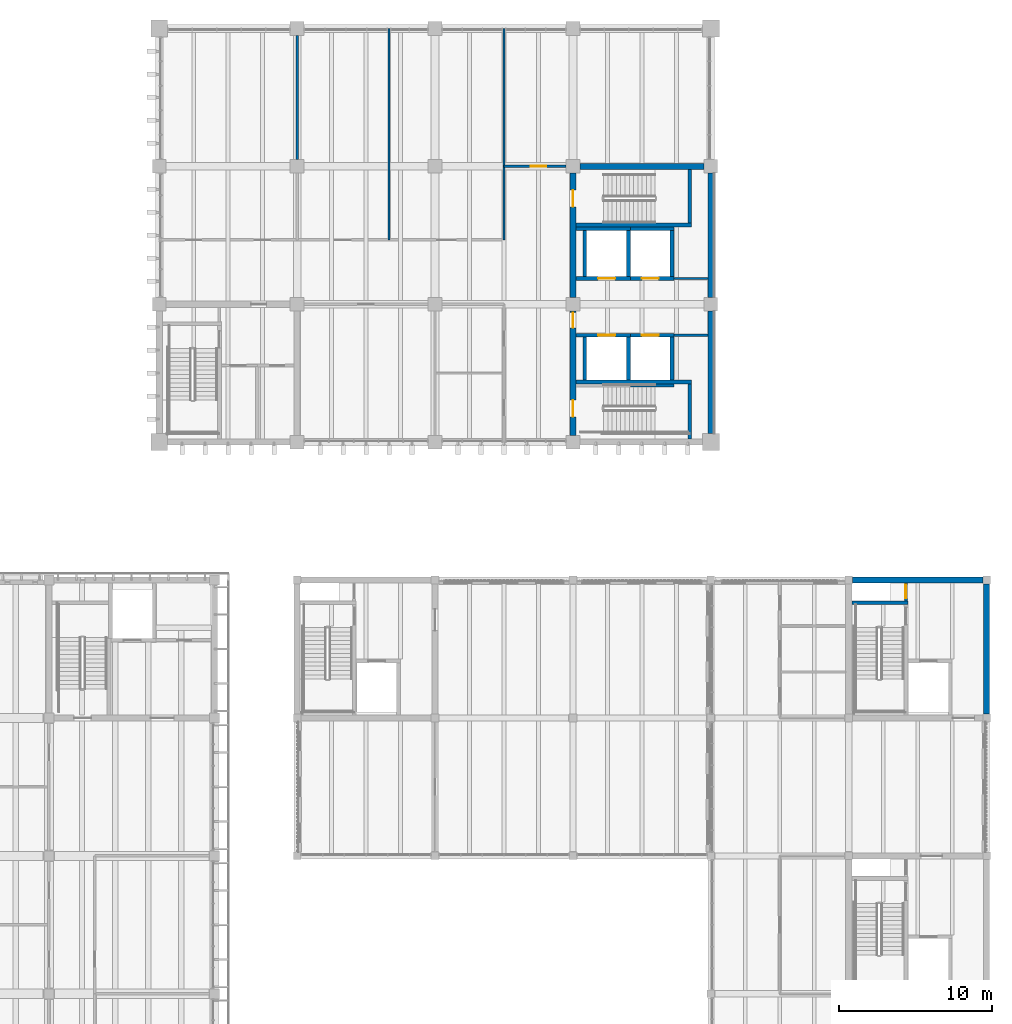
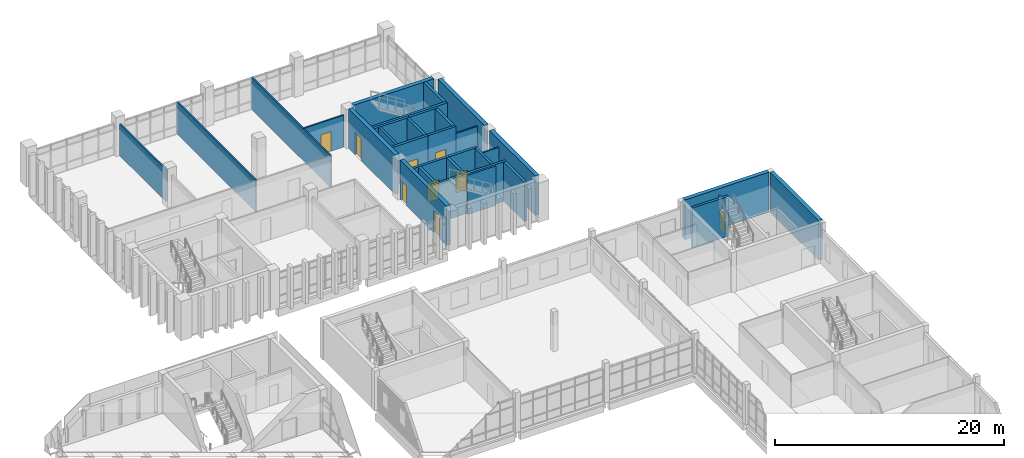
# One storey, part 59 of 92: 32 walls, 9 doors, 9 openings.
"""IFC4 building model written with IfcOpenShell, lengths in metres."""

from ifc_helpers import new_model, si_unit, direction, frame, frame_2d, origin, place, context, subcontext, project, spatial, rectangle, extrude, material, layer, layer_set, type_object, element, fill, save


model = new_model("IFC4")

# Units and contexts
model_context = context("Model", 3, precision=1e-05, world=origin(), true_north=direction((0.0, 1.0)))
body_context = subcontext(model_context, "Body", "Model", "MODEL_VIEW")
ifc_project = project(units=[si_unit("LENGTHUNIT", "METRE"), si_unit("AREAUNIT", "SQUARE_METRE"), si_unit("VOLUMEUNIT", "CUBIC_METRE"), si_unit("PLANEANGLEUNIT", "RADIAN"), si_unit("MASSUNIT", "GRAM", prefix="KILO")], contexts=[model_context])

# Site, building, storey
site_placement = place(None, origin())
site = spatial("IfcSite", under=ifc_project, at=site_placement, CompositionType="ELEMENT")
building_placement = place(site_placement, origin())
building = spatial("IfcBuilding", under=site, at=building_placement, Name="Merrow Basin Faculty of Sciences", CompositionType="ELEMENT")
storey_placement = place(building_placement, frame((0.0, 0.0, 4.5)))
storey = spatial("IfcBuildingStorey", under=building, at=storey_placement, Name="L01", CompositionType="ELEMENT", Elevation=4.5)

# Walls
ifc_material_1 = material(Name="Fire-rated gypsum board")
ifc_layer_1 = layer(ifc_material_1, 0.14990234375)
ifc_layer_set_1 = layer_set([ifc_layer_1], Name="Corridor partition 150 fire-rated board on steel studs")
wall_type_1 = type_object("IfcWallType", Name="Corridor partition 150 fire-rated board on steel studs", PredefinedType="PARTITIONING", material=ifc_layer_set_1)
for number, where, z_axis, x_axis, name in (
    (1, (51.60009765625, 148.97509765625, 0.0), (0.0, 0.0, 1.0), (1.0, 0.0, 0.0), "IW151 L01 006"),
    (2, (51.60009765625, 152.675048828125, 0.0), (0.0, 0.0, 1.0), (1.0, 0.0, 0.0), "IW151 L01 008"),
):
    element("IfcWall", number, at=place(storey_placement, frame(where, z_axis=z_axis, x_axis=x_axis)), inside=storey, type_object=wall_type_1, Name=name, PredefinedType="PARTITIONING", context=body_context, shape_type="SweptSolid", body=[
        extrude(rectangle(XDim=2.199951171875, YDim=0.14990234375, at=frame_2d((1.10009765625, 0.0))), origin(), (0.0, 0.0, 1.0), 3.39990234375),
    ])

# Wall, opening, door
wall_1_placement = place(storey_placement, frame((40.5, 160.0, 0.0), z_axis=(0.0, 0.0, 1.0), x_axis=(1.0, 0.0, 0.0)))
wall_1 = element("IfcWall", 3, at=wall_1_placement, inside=storey, type_object=wall_type_1, Name="IW151 L01 009", PredefinedType="PARTITIONING", context=body_context, shape_type="SweptSolid", body=[
    extrude(rectangle(XDim=4.050048828125, YDim=0.14990234375, at=frame_2d((2.02490234375, 0.0))), origin(), (0.0, 0.0, 1.0), 3.39990234375),
])
opening_1_placement = place(wall_1_placement, frame((1.75, 0.0, 0.0)))
opening_1 = element("IfcOpeningElement", 4, at=opening_1_placement, cuts=wall_1, Name="Opening D01T015", PredefinedType="OPENING", context=body_context, shape_type="SweptSolid", body=[
    extrude(rectangle(XDim=1.0, YDim=2.10009765625, at=frame_2d((0.5, 1.050048828125))), frame((0.0, 0.0849609375, 0.0), z_axis=(0.0, -1.0, 0.0), x_axis=(1.0, 0.0, 0.0)), (0.0, 0.0, 1.0), 0.169921875),
])
ifc_material_2 = material(Name="Timber door leaf", Category="wood")
door_type_1 = type_object("IfcDoorType", Name="Single swing door 1000 x 2100", OperationType="NOTDEFINED", PredefinedType="DOOR", material=ifc_material_2)
door_1_placement = place(opening_1_placement, origin())
door_1 = element("IfcDoor", 5, at=door_1_placement, inside=storey, type_object=door_type_1, Name="Door D01T015", OperationType="SINGLE_SWING_LEFT", OverallHeight=2.10009765625, OverallWidth=1.0, PredefinedType="DOOR", context=body_context, shape_type="SweptSolid", body=[
    extrude(rectangle(XDim=1.0, YDim=2.10009765625, at=frame_2d((0.5, 1.050048828125))), frame((0.0, 0.02490234375, 0.0), z_axis=(0.0, -1.0, 0.0), x_axis=(1.0, 0.0, 0.0)), (0.0, 0.0, 1.0), 0.050048828125),
])
fill(opening_1, door_1)

# Walls
ifc_material_3 = material(Name="Fire-rated gypsum board")
ifc_layer_2 = layer(ifc_material_3, 0.14990234375)
ifc_layer_set_2 = layer_set([ifc_layer_2], Name="Laboratory partition 150 fire-rated board on steel studs")
wall_type_2 = type_object("IfcWallType", Name="Laboratory partition 150 fire-rated board on steel studs", PredefinedType="PARTITIONING", material=ifc_layer_set_2)
wall_2_placement = place(storey_placement, frame((27.0, 160.449951171875, 0.0), z_axis=(0.0, 0.0, 1.0), x_axis=(0.0, 1.0, 0.0)))
element("IfcWall", 6, at=wall_2_placement, inside=storey, type_object=wall_type_2, Name="IW150 L01 010", PredefinedType="PARTITIONING", context=body_context, shape_type="SweptSolid", body=[
    extrude(rectangle(XDim=8.10009765625, YDim=0.14990234375, at=frame_2d((4.050048828125, 0.0))), origin(), (0.0, 0.0, 1.0), 3.39990234375),
])
for number, where, z_axis, x_axis, name in (
    (7, (33.0, 155.199951171875, 0.0), (0.0, 0.0, 1.0), (0.0, 1.0, 0.0), "IW150 L01 012"),
    (8, (40.5, 155.199951171875, 0.0), (0.0, 0.0, 1.0), (0.0, 1.0, 0.0), "IW150 L01 014"),
):
    element("IfcWall", number, at=place(storey_placement, frame(where, z_axis=z_axis, x_axis=x_axis)), inside=storey, type_object=wall_type_2, Name=name, PredefinedType="PARTITIONING", context=body_context, shape_type="SweptSolid", body=[
        extrude(rectangle(XDim=13.800048828125, YDim=0.14990234375, at=frame_2d((6.89990234375, 0.0))), origin(), (0.0, 0.0, 1.0), 3.39990234375),
    ])

# Wall, opening, door
ifc_material_4 = material(Name="Fire-rated gypsum board")
ifc_layer_3 = layer(ifc_material_4, 0.199951171875)
ifc_layer_set_3 = layer_set([ifc_layer_3], Name="Riser lining 200 fire-rated board on steel studs")
wall_type_3 = type_object("IfcWallType", Name="Riser lining 200 fire-rated board on steel studs", PredefinedType="PARTITIONING", material=ifc_layer_set_3)
wall_3_placement = place(storey_placement, frame((66.72509765625, 131.64990234375, 0.0), z_axis=(0.0, 0.0, 1.0), x_axis=(0.0, 1.0, 0.0)))
wall_3 = element("IfcWall", 9, at=wall_3_placement, inside=storey, type_object=wall_type_3, Name="IW200 L01 004", PredefinedType="PARTITIONING", context=body_context, shape_type="SweptSolid", body=[
    extrude(rectangle(XDim=1.150146484375, YDim=0.199951171875, at=frame_2d((0.5751953125, 0.0))), origin(), (0.0, 0.0, 1.0), 3.550048828125),
])
opening_2_placement = place(wall_3_placement, frame((0.14990234375, 0.0, 0.0)))
opening_2 = element("IfcOpeningElement", 10, at=opening_2_placement, cuts=wall_3, Name="Opening D01C009", PredefinedType="OPENING", context=body_context, shape_type="SweptSolid", body=[
    extrude(rectangle(XDim=0.89990234375, YDim=2.10009765625, at=frame_2d((0.449951171875, 1.050048828125))), frame((0.0, 0.10986328125, 0.0), z_axis=(0.0, -1.0, 0.0), x_axis=(1.0, 0.0, 0.0)), (0.0, 0.0, 1.0), 0.219970703125),
])
ifc_material_5 = material(Name="Fire-rated steel door", Category="steel")
door_type_2 = type_object("IfcDoorType", Name="Fire door FD60 900 x 2100", OperationType="NOTDEFINED", PredefinedType="DOOR", material=ifc_material_5)
door_2_placement = place(opening_2_placement, origin())
door_2 = element("IfcDoor", 11, at=door_2_placement, inside=storey, type_object=door_type_2, Name="Door D01C009", OperationType="SINGLE_SWING_LEFT", OverallHeight=2.10009765625, OverallWidth=0.89990234375, PredefinedType="DOOR", context=body_context, shape_type="SweptSolid", body=[
    extrude(rectangle(XDim=0.89990234375, YDim=2.10009765625, at=frame_2d((0.449951171875, 1.050048828125))), frame((0.0, 0.02490234375, 0.0), z_axis=(0.0, -1.0, 0.0), x_axis=(1.0, 0.0, 0.0)), (0.0, 0.0, 1.0), 0.050048828125),
])
fill(opening_2, door_2)

# Walls
ifc_material_6 = material(Name="Concrete C50/60", Category="concrete")
ifc_layer_4 = layer(ifc_material_6, 0.199951171875)
ifc_layer_set_4 = layer_set([ifc_layer_4], Name="Shear wall 200 Concrete C50/60")
wall_type_4 = type_object("IfcWallType", Name="Shear wall 200 Concrete C50/60", PredefinedType="SHEAR", material=ifc_layer_set_4)
wall_4_placement = place(storey_placement, frame((48.75, 145.699951171875, 0.0), z_axis=(0.0, 0.0, 1.0), x_axis=(1.0, 0.0, 0.0)))
element("IfcWall", 12, at=wall_4_placement, inside=storey, type_object=wall_type_4, Name="SW5 L01 022", PredefinedType="SHEAR", context=body_context, shape_type="SweptSolid", body=[
    extrude(rectangle(XDim=2.85009765625, YDim=0.199951171875, at=frame_2d((1.425048828125, 0.0))), origin(), (0.0, 0.0, 1.0), 4.199951171875),
])
ifc_material_7 = material(Name="Concrete C40/50", Category="concrete")
ifc_layer_5 = layer(ifc_material_7, 0.25)
ifc_layer_set_5 = layer_set([ifc_layer_5], Name="Shear wall 250 Concrete C40/50")
wall_type_5 = type_object("IfcWallType", Name="Shear wall 250 Concrete C40/50", PredefinedType="SHEAR", material=ifc_layer_set_5)
wall_5_placement = place(storey_placement, frame((63.199951171875, 131.52490234375, 0.0), z_axis=(0.0, 0.0, 1.0), x_axis=(1.0, 0.0, 0.0)))
element("IfcWall", 13, at=wall_5_placement, inside=storey, type_object=wall_type_5, Name="SW2 L01 029", PredefinedType="SHEAR", context=body_context, shape_type="SweptSolid", body=[
    extrude(rectangle(XDim=3.650146484375, YDim=0.25, at=frame_2d((1.8251953125, 0.0))), origin(), (0.0, 0.0, 1.0), 4.25),
])
ifc_material_8 = material(Name="Concrete C50/60", Category="concrete")
ifc_layer_6 = layer(ifc_material_8, 0.25)
ifc_layer_set_6 = layer_set([ifc_layer_6], Name="Shear wall 250 Concrete C50/60")
wall_type_6 = type_object("IfcWallType", Name="Shear wall 250 Concrete C50/60", PredefinedType="SHEAR", material=ifc_layer_set_6)
wall_6_placement = place(storey_placement, frame((45.199951171875, 156.175048828125, 0.0), z_axis=(0.0, 0.0, 1.0), x_axis=(1.0, 0.0, 0.0)))
element("IfcWall", 14, at=wall_6_placement, inside=storey, type_object=wall_type_6, Name="SW4 L01 007", PredefinedType="SHEAR", context=body_context, shape_type="SweptSolid", body=[
    extrude(rectangle(XDim=7.550048828125, YDim=0.25, at=frame_2d((3.77490234375, 0.0))), origin(), (0.0, 0.0, 1.0), 4.199951171875),
])
wall_7_placement = place(storey_placement, frame((52.625, 156.300048828125, 0.0), z_axis=(0.0, 0.0, 1.0), x_axis=(0.0, 1.0, 0.0)))
element("IfcWall", 15, at=wall_7_placement, inside=storey, type_object=wall_type_6, Name="SW4 L01 008", PredefinedType="SHEAR", context=body_context, shape_type="SweptSolid", body=[
    extrude(rectangle(XDim=3.5, YDim=0.25, at=frame_2d((1.75, 0.0))), origin(), (0.0, 0.0, 1.0), 4.199951171875),
])
wall_8_placement = place(storey_placement, frame((45.199951171875, 145.925048828125, 0.0), z_axis=(0.0, 0.0, 1.0), x_axis=(1.0, 0.0, 0.0)))
element("IfcWall", 16, at=wall_8_placement, inside=storey, type_object=wall_type_6, Name="SW4 L01 009", PredefinedType="SHEAR", context=body_context, shape_type="SweptSolid", body=[
    extrude(rectangle(XDim=7.550048828125, YDim=0.25, at=frame_2d((3.77490234375, 0.0))), origin(), (0.0, 0.0, 1.0), 4.199951171875),
])
wall_9_placement = place(storey_placement, frame((52.625, 142.199951171875, 0.0), z_axis=(0.0, 0.0, 1.0), x_axis=(0.0, 1.0, 0.0)))
element("IfcWall", 17, at=wall_9_placement, inside=storey, type_object=wall_type_6, Name="SW4 L01 010", PredefinedType="SHEAR", context=body_context, shape_type="SweptSolid", body=[
    extrude(rectangle(XDim=3.60009765625, YDim=0.25, at=frame_2d((1.800048828125, 0.0))), origin(), (0.0, 0.0, 1.0), 4.199951171875),
])

# Wall, opening, door
wall_10_placement = place(storey_placement, frame((45.199951171875, 152.675048828125, 0.0), z_axis=(0.0, 0.0, 1.0), x_axis=(1.0, 0.0, 0.0)))
wall_10 = element("IfcWall", 18, at=wall_10_placement, inside=storey, type_object=wall_type_6, Name="SW4 L01 011", PredefinedType="SHEAR", context=body_context, shape_type="SweptSolid", body=[
    extrude(rectangle(XDim=3.550048828125, YDim=0.25, at=frame_2d((1.77490234375, 0.0))), origin(), (0.0, 0.0, 1.0), 4.199951171875),
])
opening_3_placement = place(wall_10_placement, frame((1.449951171875, 0.0, 0.0)))
opening_3 = element("IfcOpeningElement", 19, at=opening_3_placement, cuts=wall_10, Name="Opening LD01T01", PredefinedType="OPENING", context=body_context, shape_type="SweptSolid", body=[
    extrude(rectangle(XDim=1.10009765625, YDim=2.10009765625, at=frame_2d((0.550048828125, 1.050048828125))), frame((0.0, 0.135009765625, 0.0), z_axis=(0.0, -1.0, 0.0), x_axis=(1.0, 0.0, 0.0)), (0.0, 0.0, 1.0), 0.27001953125),
])
ifc_material_9 = material(Name="Stainless steel sliding door", Category="steel")
door_type_3 = type_object("IfcDoorType", Name="Lift landing door 1100 x 2100 sliding", OperationType="NOTDEFINED", PredefinedType="DOOR", material=ifc_material_9)
door_3_placement = place(opening_3_placement, origin())
door_3 = element("IfcDoor", 20, at=door_3_placement, inside=storey, type_object=door_type_3, Name="Landing door LF11 L01", OperationType="SLIDING_TO_LEFT", OverallHeight=2.10009765625, OverallWidth=1.10009765625, PredefinedType="DOOR", context=body_context, shape_type="SweptSolid", body=[
    extrude(rectangle(XDim=1.10009765625, YDim=2.10009765625, at=frame_2d((0.550048828125, 1.050048828125))), frame((0.0, 0.02490234375, 0.0), z_axis=(0.0, -1.0, 0.0), x_axis=(1.0, 0.0, 0.0)), (0.0, 0.0, 1.0), 0.050048828125),
])
fill(opening_3, door_3)

# Walls
wall_11_placement = place(storey_placement, frame((45.199951171875, 155.925048828125, 0.0), z_axis=(0.0, 0.0, 1.0), x_axis=(1.0, 0.0, 0.0)))
element("IfcWall", 21, at=wall_11_placement, inside=storey, type_object=wall_type_6, Name="SW4 L01 012", PredefinedType="SHEAR", context=body_context, shape_type="SweptSolid", body=[
    extrude(rectangle(XDim=3.550048828125, YDim=0.25, at=frame_2d((1.77490234375, 0.0))), origin(), (0.0, 0.0, 1.0), 4.199951171875),
])
for number, where, z_axis, x_axis, name in (
    (22, (45.77490234375, 152.800048828125, 0.0), (0.0, 0.0, 1.0), (0.0, 1.0, 0.0), "SW4 L01 013"),
    (23, (48.625, 152.800048828125, 0.0), (0.0, 0.0, 1.0), (0.0, 1.0, 0.0), "SW4 L01 014"),
):
    element("IfcWall", number, at=place(storey_placement, frame(where, z_axis=z_axis, x_axis=x_axis)), inside=storey, type_object=wall_type_6, Name=name, PredefinedType="SHEAR", context=body_context, shape_type="SweptSolid", body=[
        extrude(rectangle(XDim=3.0, YDim=0.25, at=frame_2d((1.5, 0.0))), origin(), (0.0, 0.0, 1.0), 4.199951171875),
    ])

# Wall, opening, door
wall_12_placement = place(storey_placement, frame((48.75, 152.675048828125, 0.0), z_axis=(0.0, 0.0, 1.0), x_axis=(1.0, 0.0, 0.0)))
wall_12 = element("IfcWall", 24, at=wall_12_placement, inside=storey, type_object=wall_type_6, Name="SW4 L01 015", PredefinedType="SHEAR", context=body_context, shape_type="SweptSolid", body=[
    extrude(rectangle(XDim=2.85009765625, YDim=0.25, at=frame_2d((1.425048828125, 0.0))), origin(), (0.0, 0.0, 1.0), 4.199951171875),
])
opening_4_placement = place(wall_12_placement, frame((0.75, 0.0, 0.0)))
opening_4 = element("IfcOpeningElement", 25, at=opening_4_placement, cuts=wall_12, Name="Opening LD01T02", PredefinedType="OPENING", context=body_context, shape_type="SweptSolid", body=[
    extrude(rectangle(XDim=1.10009765625, YDim=2.10009765625, at=frame_2d((0.550048828125, 1.050048828125))), frame((0.0, 0.135009765625, 0.0), z_axis=(0.0, -1.0, 0.0), x_axis=(1.0, 0.0, 0.0)), (0.0, 0.0, 1.0), 0.27001953125),
])
door_4_placement = place(opening_4_placement, origin())
door_4 = element("IfcDoor", 26, at=door_4_placement, inside=storey, type_object=door_type_3, Name="Landing door LF12 L01", OperationType="SLIDING_TO_LEFT", OverallHeight=2.10009765625, OverallWidth=1.10009765625, PredefinedType="DOOR", context=body_context, shape_type="SweptSolid", body=[
    extrude(rectangle(XDim=1.10009765625, YDim=2.10009765625, at=frame_2d((0.550048828125, 1.050048828125))), frame((0.0, 0.02490234375, 0.0), z_axis=(0.0, -1.0, 0.0), x_axis=(1.0, 0.0, 0.0)), (0.0, 0.0, 1.0), 0.050048828125),
])
fill(opening_4, door_4)

# Walls
wall_13_placement = place(storey_placement, frame((48.75, 155.925048828125, 0.0), z_axis=(0.0, 0.0, 1.0), x_axis=(1.0, 0.0, 0.0)))
element("IfcWall", 27, at=wall_13_placement, inside=storey, type_object=wall_type_6, Name="SW4 L01 016", PredefinedType="SHEAR", context=body_context, shape_type="SweptSolid", body=[
    extrude(rectangle(XDim=2.85009765625, YDim=0.25, at=frame_2d((1.425048828125, 0.0))), origin(), (0.0, 0.0, 1.0), 4.199951171875),
])
wall_14_placement = place(storey_placement, frame((51.47509765625, 152.800048828125, 0.0), z_axis=(0.0, 0.0, 1.0), x_axis=(0.0, 1.0, 0.0)))
element("IfcWall", 28, at=wall_14_placement, inside=storey, type_object=wall_type_6, Name="SW4 L01 017", PredefinedType="SHEAR", context=body_context, shape_type="SweptSolid", body=[
    extrude(rectangle(XDim=3.0, YDim=0.25, at=frame_2d((1.5, 0.0))), origin(), (0.0, 0.0, 1.0), 4.199951171875),
])

# Wall, opening, door
wall_15_placement = place(storey_placement, frame((45.199951171875, 148.97509765625, 0.0), z_axis=(0.0, 0.0, 1.0), x_axis=(1.0, 0.0, 0.0)))
wall_15 = element("IfcWall", 29, at=wall_15_placement, inside=storey, type_object=wall_type_6, Name="SW4 L01 019", PredefinedType="SHEAR", context=body_context, shape_type="SweptSolid", body=[
    extrude(rectangle(XDim=3.550048828125, YDim=0.25, at=frame_2d((1.77490234375, 0.0))), origin(), (0.0, 0.0, 1.0), 4.199951171875),
])
opening_5_placement = place(wall_15_placement, frame((1.449951171875, 0.0, 0.0)))
opening_5 = element("IfcOpeningElement", 30, at=opening_5_placement, cuts=wall_15, Name="Opening LD01T03", PredefinedType="OPENING", context=body_context, shape_type="SweptSolid", body=[
    extrude(rectangle(XDim=1.10009765625, YDim=2.10009765625, at=frame_2d((0.550048828125, 1.050048828125))), frame((0.0, 0.135009765625, 0.0), z_axis=(0.0, -1.0, 0.0), x_axis=(1.0, 0.0, 0.0)), (0.0, 0.0, 1.0), 0.27001953125),
])
door_5_placement = place(opening_5_placement, origin())
door_5 = element("IfcDoor", 31, at=door_5_placement, inside=storey, type_object=door_type_3, Name="Landing door LF13 L01", OperationType="SLIDING_TO_LEFT", OverallHeight=2.10009765625, OverallWidth=1.10009765625, PredefinedType="DOOR", context=body_context, shape_type="SweptSolid", body=[
    extrude(rectangle(XDim=1.10009765625, YDim=2.10009765625, at=frame_2d((0.550048828125, 1.050048828125))), frame((0.0, 0.02490234375, 0.0), z_axis=(0.0, -1.0, 0.0), x_axis=(1.0, 0.0, 0.0)), (0.0, 0.0, 1.0), 0.050048828125),
])
fill(opening_5, door_5)

# Walls
for number, where, z_axis, x_axis, name in (
    (32, (45.77490234375, 146.050048828125, 0.0), (0.0, 0.0, 1.0), (0.0, 1.0, 0.0), "SW4 L01 020"),
    (33, (48.625, 146.050048828125, 0.0), (0.0, 0.0, 1.0), (0.0, 1.0, 0.0), "SW4 L01 021"),
):
    element("IfcWall", number, at=place(storey_placement, frame(where, z_axis=z_axis, x_axis=x_axis)), inside=storey, type_object=wall_type_6, Name=name, PredefinedType="SHEAR", context=body_context, shape_type="SweptSolid", body=[
        extrude(rectangle(XDim=2.800048828125, YDim=0.25, at=frame_2d((1.39990234375, 0.0))), origin(), (0.0, 0.0, 1.0), 4.199951171875),
    ])

# Wall, opening, door
wall_16_placement = place(storey_placement, frame((48.75, 148.97509765625, 0.0), z_axis=(0.0, 0.0, 1.0), x_axis=(1.0, 0.0, 0.0)))
wall_16 = element("IfcWall", 34, at=wall_16_placement, inside=storey, type_object=wall_type_6, Name="SW4 L01 023", PredefinedType="SHEAR", context=body_context, shape_type="SweptSolid", body=[
    extrude(rectangle(XDim=2.85009765625, YDim=0.25, at=frame_2d((1.425048828125, 0.0))), origin(), (0.0, 0.0, 1.0), 4.199951171875),
])
opening_6_placement = place(wall_16_placement, frame((0.75, 0.0, 0.0)))
opening_6 = element("IfcOpeningElement", 35, at=opening_6_placement, cuts=wall_16, Name="Opening LD01T04", PredefinedType="OPENING", context=body_context, shape_type="SweptSolid", body=[
    extrude(rectangle(XDim=1.10009765625, YDim=2.10009765625, at=frame_2d((0.550048828125, 1.050048828125))), frame((0.0, 0.135009765625, 0.0), z_axis=(0.0, -1.0, 0.0), x_axis=(1.0, 0.0, 0.0)), (0.0, 0.0, 1.0), 0.27001953125),
])
door_6_placement = place(opening_6_placement, origin())
door_6 = element("IfcDoor", 36, at=door_6_placement, inside=storey, type_object=door_type_3, Name="Landing door LF14 L01", OperationType="SLIDING_TO_LEFT", OverallHeight=2.10009765625, OverallWidth=1.10009765625, PredefinedType="DOOR", context=body_context, shape_type="SweptSolid", body=[
    extrude(rectangle(XDim=1.10009765625, YDim=2.10009765625, at=frame_2d((0.550048828125, 1.050048828125))), frame((0.0, 0.02490234375, 0.0), z_axis=(0.0, -1.0, 0.0), x_axis=(1.0, 0.0, 0.0)), (0.0, 0.0, 1.0), 0.050048828125),
])
fill(opening_6, door_6)

# Walls
wall_17_placement = place(storey_placement, frame((51.47509765625, 146.050048828125, 0.0), z_axis=(0.0, 0.0, 1.0), x_axis=(0.0, 1.0, 0.0)))
element("IfcWall", 37, at=wall_17_placement, inside=storey, type_object=wall_type_6, Name="SW4 L01 024", PredefinedType="SHEAR", context=body_context, shape_type="SweptSolid", body=[
    extrude(rectangle(XDim=2.800048828125, YDim=0.25, at=frame_2d((1.39990234375, 0.0))), origin(), (0.0, 0.0, 1.0), 4.199951171875),
])
ifc_material_10 = material(Name="Concrete C40/50", Category="concrete")
ifc_layer_7 = layer(ifc_material_10, 0.39990234375)
ifc_layer_set_7 = layer_set([ifc_layer_7], Name="Shear wall 400 Concrete C40/50")
wall_type_7 = type_object("IfcWallType", Name="Shear wall 400 Concrete C40/50", PredefinedType="SHEAR", material=ifc_layer_set_7)
for number, where, z_axis, x_axis, name in (
    (38, (63.25, 133.0, 0.0), (0.0, 0.0, 1.0), (1.0, 0.0, 0.0), "SW1 L01 026"),
    (39, (72.0, 124.25, 0.0), (0.0, 0.0, 1.0), (0.0, 1.0, 0.0), "SW1 L01 028"),
):
    element("IfcWall", number, at=place(storey_placement, frame(where, z_axis=z_axis, x_axis=x_axis)), inside=storey, type_object=wall_type_7, Name=name, PredefinedType="SHEAR", context=body_context, shape_type="SweptSolid", body=[
        extrude(rectangle(XDim=8.5, YDim=0.39990234375, at=frame_2d((4.25, 0.0))), origin(), (0.0, 0.0, 1.0), 4.25),
    ])
ifc_material_11 = material(Name="Concrete C50/60", Category="concrete")
ifc_layer_8 = layer(ifc_material_11, 0.39990234375)
ifc_layer_set_8 = layer_set([ifc_layer_8], Name="Shear wall 400 Concrete C50/60")
wall_type_8 = type_object("IfcWallType", Name="Shear wall 400 Concrete C50/60", PredefinedType="SHEAR", material=ifc_layer_set_8)
wall_18_placement = place(storey_placement, frame((45.449951171875, 160.0, 0.0), z_axis=(0.0, 0.0, 1.0), x_axis=(1.0, 0.0, 0.0)))
element("IfcWall", 40, at=wall_18_placement, inside=storey, type_object=wall_type_8, Name="SW3 L01 002", PredefinedType="SHEAR", context=body_context, shape_type="SweptSolid", body=[
    extrude(rectangle(XDim=8.10009765625, YDim=0.39990234375, at=frame_2d((4.050048828125, 0.0))), origin(), (0.0, 0.0, 1.0), 4.199951171875),
])

# Wall, openings, doors
wall_19_placement = place(storey_placement, frame((45.0, 142.449951171875, 0.0), z_axis=(0.0, 0.0, 1.0), x_axis=(0.0, 1.0, 0.0)))
wall_19 = element("IfcWall", 41, at=wall_19_placement, inside=storey, type_object=wall_type_8, Name="SW3 L01 003", PredefinedType="SHEAR", context=body_context, shape_type="SweptSolid", body=[
    extrude(rectangle(XDim=8.10009765625, YDim=0.39990234375, at=frame_2d((4.050048828125, 0.0))), origin(), (0.0, 0.0, 1.0), 4.199951171875),
])
opening_7_placement = place(wall_19_placement, frame((1.199951171875, 0.0, 0.0)))
opening_7 = element("IfcOpeningElement", 42, at=opening_7_placement, cuts=wall_19, Name="Opening D01T001", PredefinedType="OPENING", context=body_context, shape_type="SweptSolid", body=[
    extrude(rectangle(XDim=1.10009765625, YDim=2.39990234375, at=frame_2d((0.550048828125, 1.199951171875))), frame((0.0, 0.2099609375, 0.0), z_axis=(0.0, -1.0, 0.0), x_axis=(1.0, 0.0, 0.0)), (0.0, 0.0, 1.0), 0.419921875),
])
opening_8_placement = place(wall_19_placement, frame((7.0, 0.0, 0.0)))
opening_8 = element("IfcOpeningElement", 43, at=opening_8_placement, cuts=wall_19, Name="Opening D01T003", PredefinedType="OPENING", context=body_context, shape_type="SweptSolid", body=[
    extrude(rectangle(XDim=1.0, YDim=2.10009765625, at=frame_2d((0.5, 1.050048828125))), frame((0.0, 0.2099609375, 0.0), z_axis=(0.0, -1.0, 0.0), x_axis=(1.0, 0.0, 0.0)), (0.0, 0.0, 1.0), 0.419921875),
])
ifc_material_12 = material(Name="Fire-rated steel door", Category="steel")
door_type_4 = type_object("IfcDoorType", Name="Fire door FD90 1100 x 2400", OperationType="NOTDEFINED", PredefinedType="DOOR", material=ifc_material_12)
door_7_placement = place(opening_7_placement, origin())
door_7 = element("IfcDoor", 44, at=door_7_placement, inside=storey, type_object=door_type_4, Name="Door D01T001", OperationType="SINGLE_SWING_LEFT", OverallHeight=2.39990234375, OverallWidth=1.10009765625, PredefinedType="DOOR", context=body_context, shape_type="SweptSolid", body=[
    extrude(rectangle(XDim=1.10009765625, YDim=2.39990234375, at=frame_2d((0.550048828125, 1.199951171875))), frame((0.0, 0.02490234375, 0.0), z_axis=(0.0, -1.0, 0.0), x_axis=(1.0, 0.0, 0.0)), (0.0, 0.0, 1.0), 0.050048828125),
])
fill(opening_7, door_7)
door_8_placement = place(opening_8_placement, origin())
door_8 = element("IfcDoor", 45, at=door_8_placement, inside=storey, type_object=door_type_1, Name="Door D01T003", OperationType="SINGLE_SWING_LEFT", OverallHeight=2.10009765625, OverallWidth=1.0, PredefinedType="DOOR", context=body_context, shape_type="SweptSolid", body=[
    extrude(rectangle(XDim=1.0, YDim=2.10009765625, at=frame_2d((0.5, 1.050048828125))), frame((0.0, 0.02490234375, 0.0), z_axis=(0.0, -1.0, 0.0), x_axis=(1.0, 0.0, 0.0)), (0.0, 0.0, 1.0), 0.050048828125),
])
fill(opening_8, door_8)

# Wall, opening, door
wall_20_placement = place(storey_placement, frame((45.0, 151.449951171875, 0.0), z_axis=(0.0, 0.0, 1.0), x_axis=(0.0, 1.0, 0.0)))
wall_20 = element("IfcWall", 46, at=wall_20_placement, inside=storey, type_object=wall_type_8, Name="SW3 L01 004", PredefinedType="SHEAR", context=body_context, shape_type="SweptSolid", body=[
    extrude(rectangle(XDim=8.10009765625, YDim=0.39990234375, at=frame_2d((4.050048828125, 0.0))), origin(), (0.0, 0.0, 1.0), 4.199951171875),
])
opening_9_placement = place(wall_20_placement, frame((5.89990234375, 0.0, 0.0)))
opening_9 = element("IfcOpeningElement", 47, at=opening_9_placement, cuts=wall_20, Name="Opening D01T002", PredefinedType="OPENING", context=body_context, shape_type="SweptSolid", body=[
    extrude(rectangle(XDim=1.10009765625, YDim=2.39990234375, at=frame_2d((0.550048828125, 1.199951171875))), frame((0.0, 0.2099609375, 0.0), z_axis=(0.0, -1.0, 0.0), x_axis=(1.0, 0.0, 0.0)), (0.0, 0.0, 1.0), 0.419921875),
])
door_9_placement = place(opening_9_placement, origin())
door_9 = element("IfcDoor", 48, at=door_9_placement, inside=storey, type_object=door_type_4, Name="Door D01T002", OperationType="SINGLE_SWING_RIGHT", OverallHeight=2.39990234375, OverallWidth=1.10009765625, PredefinedType="DOOR", context=body_context, shape_type="SweptSolid", body=[
    extrude(rectangle(XDim=1.10009765625, YDim=2.39990234375, at=frame_2d((0.550048828125, 1.199951171875))), frame((0.0, 0.02490234375, 0.0), z_axis=(0.0, -1.0, 0.0), x_axis=(1.0, 0.0, 0.0)), (0.0, 0.0, 1.0), 0.050048828125),
])
fill(opening_9, door_9)

# Walls
wall_21_placement = place(storey_placement, frame((54.0, 151.449951171875, 0.0), z_axis=(0.0, 0.0, 1.0), x_axis=(0.0, 1.0, 0.0)))
element("IfcWall", 49, at=wall_21_placement, inside=storey, type_object=wall_type_8, Name="SW3 L01 005", PredefinedType="SHEAR", context=body_context, shape_type="SweptSolid", body=[
    extrude(rectangle(XDim=8.10009765625, YDim=0.39990234375, at=frame_2d((4.050048828125, 0.0))), origin(), (0.0, 0.0, 1.0), 4.199951171875),
])
wall_22_placement = place(storey_placement, frame((54.0, 142.550048828125, 0.0), z_axis=(0.0, 0.0, 1.0), x_axis=(0.0, 1.0, 0.0)))
element("IfcWall", 50, at=wall_22_placement, inside=storey, type_object=wall_type_8, Name="SW3 L01 006", PredefinedType="SHEAR", context=body_context, shape_type="SweptSolid", body=[
    extrude(rectangle(XDim=8.0, YDim=0.39990234375, at=frame_2d((4.0, 0.0))), origin(), (0.0, 0.0, 1.0), 4.199951171875),
])

save(model, "model.ifc")
